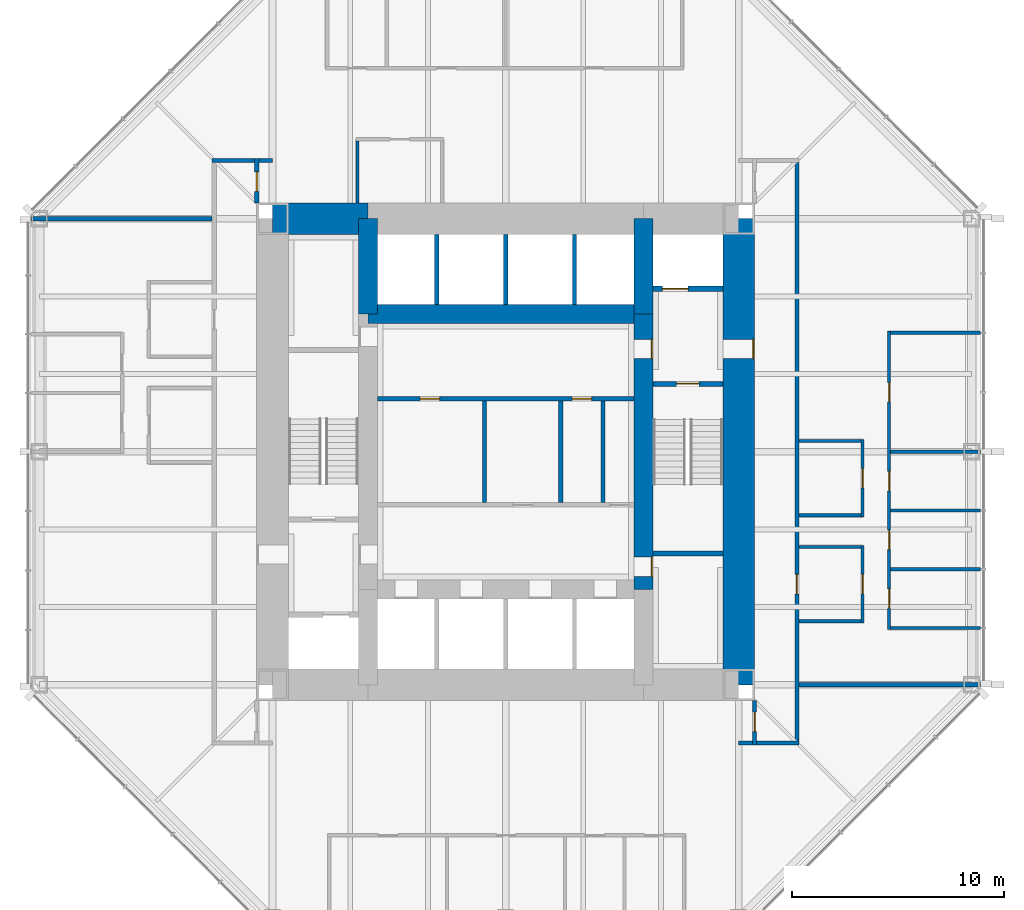
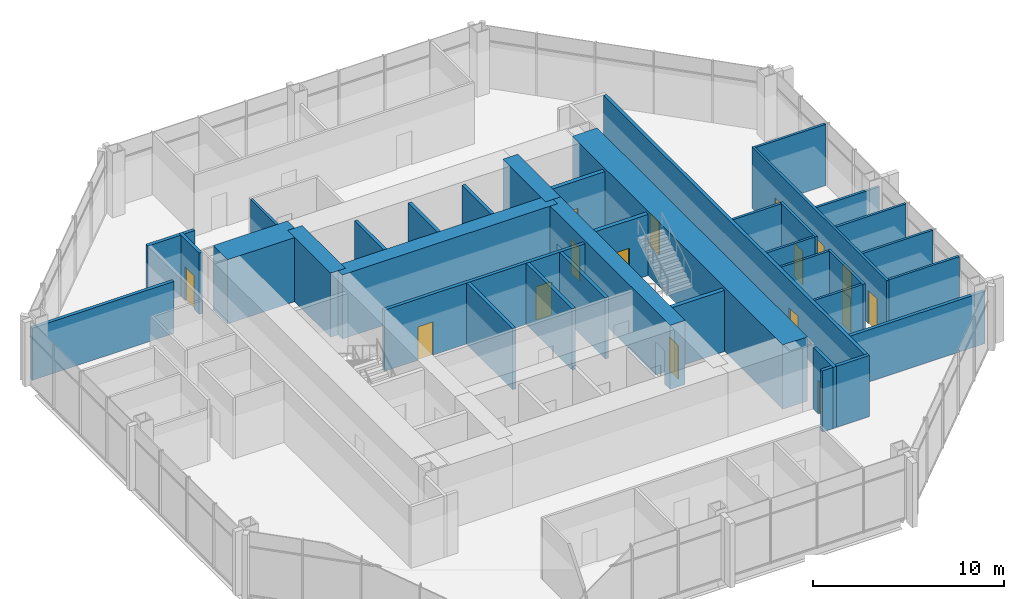
# One storey, part 10 of 12: 36 walls, 16 doors, 16 openings.
"""IFC4 building model written with IfcOpenShell, lengths in metres."""

from ifc_helpers import new_model, si_unit, direction, frame, frame_2d, origin, place, context, subcontext, project, spatial, rectangle, extrude, material, layer, layer_set, type_object, element, fill, save


model = new_model("IFC4")

# Units and contexts
model_context = context("Model", 3, precision=1e-05, world=origin(), true_north=direction((0.0, 1.0)))
body_context = subcontext(model_context, "Body", "Model", "MODEL_VIEW")
ifc_project = project(units=[si_unit("LENGTHUNIT", "METRE"), si_unit("AREAUNIT", "SQUARE_METRE"), si_unit("VOLUMEUNIT", "CUBIC_METRE"), si_unit("PLANEANGLEUNIT", "RADIAN"), si_unit("MASSUNIT", "GRAM", prefix="KILO")], contexts=[model_context])

# Site, building, storey
site_placement = place(None, origin())
site = spatial("IfcSite", under=ifc_project, at=site_placement, CompositionType="ELEMENT")
building_placement = place(site_placement, origin())
building = spatial("IfcBuilding", under=site, at=building_placement, Name="Trevanion Tower", CompositionType="ELEMENT")
storey_placement = place(building_placement, frame((0.0, 0.0, 137.699951171875)))
storey = spatial("IfcBuildingStorey", under=building, at=storey_placement, Name="L32", CompositionType="ELEMENT", Elevation=137.699951171875)

# Wall, opening, door
ifc_material_1 = material(Name="Concrete 10,000 psi", Category="concrete")
ifc_layer_1 = layer(ifc_material_1, 1.5)
ifc_layer_set_1 = layer_set([ifc_layer_1], Name="CW1 core wall 1500")
wall_type_1 = type_object("IfcWallType", Name="CW1 core wall 1500", PredefinedType="SHEAR", material=ifc_layer_set_1)
wall_1_placement = place(storey_placement, frame((11.0, -11.0, 0.0), z_axis=(0.0, 0.0, 1.0), x_axis=(0.0, 1.0, 0.0)))
wall_1 = element("IfcWall", 1, at=wall_1_placement, inside=storey, type_object=wall_type_1, Name="CW1 CE L32", PredefinedType="SHEAR", context=body_context, shape_type="SweptSolid", body=[
    extrude(rectangle(XDim=22.0, YDim=1.5, at=frame_2d((11.0, 0.0))), origin(), (0.0, 0.0, 1.0), 4.10009765625),
])
opening_1_placement = place(wall_1_placement, frame((15.392578125, 0.0, 0.0)))
opening_1 = element("IfcOpeningElement", 2, at=opening_1_placement, cuts=wall_1, Name="Opening 32-001", PredefinedType="OPENING", context=body_context, shape_type="SweptSolid", body=[
    extrude(rectangle(XDim=0.9150390625, YDim=2.134033203125, at=frame_2d((0.45751953125, 1.06689453125))), frame((0.0, 0.760009765625, 0.0), z_axis=(0.0, -1.0, 0.0), x_axis=(1.0, 0.0, 0.0)), (0.0, 0.0, 1.0), 1.52001953125),
])
ifc_material_2 = material(Name="Hollow metal, fire rated", Category="steel")
door_type_1 = type_object("IfcDoorType", Name="D3 fire lift lobby door", OperationType="SINGLE_SWING_RIGHT", PredefinedType="DOOR", material=ifc_material_2)
door_1_placement = place(opening_1_placement, origin())
door_1 = element("IfcDoor", 3, at=door_1_placement, inside=storey, type_object=door_type_1, Name="Door 32-001", OperationType="SINGLE_SWING_RIGHT", OverallHeight=2.134033203125, OverallWidth=0.9150390625, PredefinedType="DOOR", context=body_context, shape_type="SweptSolid", body=[
    extrude(rectangle(XDim=0.9150390625, YDim=2.134033203125, at=frame_2d((0.45751953125, 1.06689453125))), frame((0.0, -0.6748046875, 0.0), z_axis=(0.0, -1.0, 0.0), x_axis=(1.0, 0.0, 0.0)), (0.0, 0.0, 1.0), 0.050048828125),
])
fill(opening_1, door_1)

# Wall
wall_2_placement = place(storey_placement, frame((-6.5, 11.0, 0.0), z_axis=(0.0, 0.0, 1.0), x_axis=(-1.0, 0.0, 0.0)))
element("IfcWall", 4, at=wall_2_placement, inside=storey, type_object=wall_type_1, Name="CW1 CN3 L32", PredefinedType="SHEAR", context=body_context, shape_type="SweptSolid", body=[
    extrude(rectangle(XDim=4.5, YDim=1.5, at=frame_2d((2.25, 0.0))), origin(), (0.0, 0.0, 1.0), 4.10009765625),
])

# Wall, openings, doors
ifc_material_3 = material(Name="Concrete 10,000 psi", Category="concrete")
ifc_layer_2 = layer(ifc_material_3, 0.89990234375)
ifc_layer_set_2 = layer_set([ifc_layer_2], Name="CW2 core wall 900")
wall_type_2 = type_object("IfcWallType", Name="CW2 core wall 900", PredefinedType="SHEAR", material=ifc_layer_set_2)
wall_3_placement = place(storey_placement, frame((6.5, -6.5, 0.0), z_axis=(0.0, 0.0, 1.0), x_axis=(0.0, 1.0, 0.0)))
wall_3 = element("IfcWall", 5, at=wall_3_placement, inside=storey, type_object=wall_type_2, Name="CW2 RE2 L32", PredefinedType="SHEAR", context=body_context, shape_type="SweptSolid", body=[
    extrude(rectangle(XDim=13.0, YDim=0.89990234375, at=frame_2d((6.5, 0.0))), origin(), (0.0, 0.0, 1.0), 4.10009765625),
])
opening_2_placement = place(wall_3_placement, frame((10.892578125, 0.0, 0.0)))
opening_2 = element("IfcOpeningElement", 6, at=opening_2_placement, cuts=wall_3, Name="Opening 32-003", PredefinedType="OPENING", context=body_context, shape_type="SweptSolid", body=[
    extrude(rectangle(XDim=0.9150390625, YDim=2.134033203125, at=frame_2d((0.45751953125, 1.06689453125))), frame((0.0, 0.4599609375, 0.0), z_axis=(0.0, -1.0, 0.0), x_axis=(1.0, 0.0, 0.0)), (0.0, 0.0, 1.0), 0.919921875),
])
opening_3_placement = place(wall_3_placement, frame((0.610107421875, 0.0, 0.0)))
opening_3 = element("IfcOpeningElement", 7, at=opening_3_placement, cuts=wall_3, Name="Opening 32-009", PredefinedType="OPENING", context=body_context, shape_type="SweptSolid", body=[
    extrude(rectangle(XDim=0.9150390625, YDim=2.134033203125, at=frame_2d((0.45751953125, 1.06689453125))), frame((0.0, 0.4599609375, 0.0), z_axis=(0.0, -1.0, 0.0), x_axis=(1.0, 0.0, 0.0)), (0.0, 0.0, 1.0), 0.919921875),
])
door_2_placement = place(opening_2_placement, origin())
door_2 = element("IfcDoor", 8, at=door_2_placement, inside=storey, type_object=door_type_1, Name="Door 32-003", OperationType="SINGLE_SWING_RIGHT", OverallHeight=2.134033203125, OverallWidth=0.9150390625, PredefinedType="DOOR", context=body_context, shape_type="SweptSolid", body=[
    extrude(rectangle(XDim=0.9150390625, YDim=2.134033203125, at=frame_2d((0.45751953125, 1.06689453125))), frame((0.0, -0.375, 0.0), z_axis=(0.0, -1.0, 0.0), x_axis=(1.0, 0.0, 0.0)), (0.0, 0.0, 1.0), 0.050048828125),
])
fill(opening_2, door_2)
ifc_material_4 = material(Name="Hollow metal, fire rated", Category="steel")
door_type_2 = type_object("IfcDoorType", Name="D5 service room door", OperationType="SINGLE_SWING_RIGHT", PredefinedType="DOOR", material=ifc_material_4)
door_3_placement = place(opening_3_placement, origin())
door_3 = element("IfcDoor", 9, at=door_3_placement, inside=storey, type_object=door_type_2, Name="Door 32-009", OperationType="SINGLE_SWING_RIGHT", OverallHeight=2.134033203125, OverallWidth=0.9150390625, PredefinedType="DOOR", context=body_context, shape_type="SweptSolid", body=[
    extrude(rectangle(XDim=0.9150390625, YDim=2.134033203125, at=frame_2d((0.45751953125, 1.06689453125))), frame((0.0, -0.375, 0.0), z_axis=(0.0, -1.0, 0.0), x_axis=(1.0, 0.0, 0.0)), (0.0, 0.0, 1.0), 0.050048828125),
])
fill(opening_3, door_3)

# Walls
for number, where, z_axis, x_axis, name in (
    (10, (6.5, 6.5, 0.0), (0.0, 0.0, 1.0), (0.0, 1.0, 0.0), "CW2 RE3 L32"),
    (11, (-6.5, 11.0, 0.0), (0.0, 0.0, 1.0), (0.0, -1.0, 0.0), "CW2 RW1 L32"),
):
    element("IfcWall", number, at=place(storey_placement, frame(where, z_axis=z_axis, x_axis=x_axis)), inside=storey, type_object=wall_type_2, Name=name, PredefinedType="SHEAR", context=body_context, shape_type="SweptSolid", body=[
        extrude(rectangle(XDim=4.5, YDim=0.89990234375, at=frame_2d((2.25, 0.0))), origin(), (0.0, 0.0, 1.0), 4.10009765625),
    ])
wall_4_placement = place(storey_placement, frame((6.5, 6.5, 0.0), z_axis=(0.0, 0.0, 1.0), x_axis=(-1.0, 0.0, 0.0)))
element("IfcWall", 12, at=wall_4_placement, inside=storey, type_object=wall_type_2, Name="CW2 RN L32", PredefinedType="SHEAR", context=body_context, shape_type="SweptSolid", body=[
    extrude(rectangle(XDim=13.0, YDim=0.89990234375, at=frame_2d((6.5, 0.0))), origin(), (0.0, 0.0, 1.0), 4.10009765625),
])

# Wall, openings, doors
ifc_material_5 = material(Name="Gypsum board on steel studs", Category="steel")
ifc_layer_3 = layer(ifc_material_5, 0.14990234375)
ifc_layer_set_3 = layer_set([ifc_layer_3], Name="PT1 partition 150")
wall_type_3 = type_object("IfcWallType", Name="PT1 partition 150", PredefinedType="PARTITIONING", material=ifc_layer_set_3)
wall_5_placement = place(storey_placement, frame((18.10009765625, -8.39794921875, 0.0), z_axis=(0.0, 0.0, 1.0), x_axis=(0.0, 1.0, 0.0)))
wall_5 = element("IfcWall", 13, at=wall_5_placement, inside=storey, type_object=wall_type_3, Name="PT1 L32 FC0F", PredefinedType="PARTITIONING", context=body_context, shape_type="SweptSolid", body=[
    extrude(rectangle(XDim=14.0869140625, YDim=0.14990234375, at=frame_2d((7.04345703125, 0.0))), origin(), (0.0, 0.0, 1.0), 3.91015625),
])
opening_4_placement = place(wall_5_placement, frame((1.00439453125, 0.0, 0.0)))
opening_4 = element("IfcOpeningElement", 14, at=opening_4_placement, cuts=wall_5, Name="Opening 32-030", PredefinedType="OPENING", context=body_context, shape_type="SweptSolid", body=[
    extrude(rectangle(XDim=0.9150390625, YDim=2.134033203125, at=frame_2d((0.45751953125, 1.06689453125))), frame((0.0, 0.0849609375, 0.0), z_axis=(0.0, -1.0, 0.0), x_axis=(1.0, 0.0, 0.0)), (0.0, 0.0, 1.0), 0.169921875),
])
opening_5_placement = place(wall_5_placement, frame((3.778564453125, 0.0, 0.0)))
opening_5 = element("IfcOpeningElement", 15, at=opening_5_placement, cuts=wall_5, Name="Opening 32-031", PredefinedType="OPENING", context=body_context, shape_type="SweptSolid", body=[
    extrude(rectangle(XDim=0.9150390625, YDim=2.134033203125, at=frame_2d((0.45751953125, 1.06689453125))), frame((0.0, 0.0849609375, 0.0), z_axis=(0.0, -1.0, 0.0), x_axis=(1.0, 0.0, 0.0)), (0.0, 0.0, 1.0), 0.169921875),
])
opening_6_placement = place(wall_5_placement, frame((6.552978515625, 0.0, 0.0)))
opening_6 = element("IfcOpeningElement", 16, at=opening_6_placement, cuts=wall_5, Name="Opening 32-032", PredefinedType="OPENING", context=body_context, shape_type="SweptSolid", body=[
    extrude(rectangle(XDim=0.9150390625, YDim=2.134033203125, at=frame_2d((0.45751953125, 1.06689453125))), frame((0.0, 0.0849609375, 0.0), z_axis=(0.0, -1.0, 0.0), x_axis=(1.0, 0.0, 0.0)), (0.0, 0.0, 1.0), 0.169921875),
])
opening_7_placement = place(wall_5_placement, frame((10.74755859375, 0.0, 0.0)))
opening_7 = element("IfcOpeningElement", 17, at=opening_7_placement, cuts=wall_5, Name="Opening 32-033", PredefinedType="OPENING", context=body_context, shape_type="SweptSolid", body=[
    extrude(rectangle(XDim=0.9150390625, YDim=2.134033203125, at=frame_2d((0.45751953125, 1.06689453125))), frame((0.0, 0.0849609375, 0.0), z_axis=(0.0, -1.0, 0.0), x_axis=(1.0, 0.0, 0.0)), (0.0, 0.0, 1.0), 0.169921875),
])
ifc_material_6 = material(Name="Timber veneer, solid core", Category="wood")
door_type_3 = type_object("IfcDoorType", Name="D1 office and meeting room door", OperationType="SINGLE_SWING_LEFT", PredefinedType="DOOR", material=ifc_material_6)
door_4_placement = place(opening_4_placement, origin())
door_4 = element("IfcDoor", 18, at=door_4_placement, inside=storey, type_object=door_type_3, Name="Door 32-030", OperationType="SINGLE_SWING_LEFT", OverallHeight=2.134033203125, OverallWidth=0.9150390625, PredefinedType="DOOR", context=body_context, shape_type="SweptSolid", body=[
    extrude(rectangle(XDim=0.9150390625, YDim=2.134033203125, at=frame_2d((0.45751953125, 1.06689453125))), frame((0.0, 0.02490234375, 0.0), z_axis=(0.0, -1.0, 0.0), x_axis=(1.0, 0.0, 0.0)), (0.0, 0.0, 1.0), 0.050048828125),
])
fill(opening_4, door_4)
door_5_placement = place(opening_5_placement, origin())
door_5 = element("IfcDoor", 19, at=door_5_placement, inside=storey, type_object=door_type_3, Name="Door 32-031", OperationType="SINGLE_SWING_LEFT", OverallHeight=2.134033203125, OverallWidth=0.9150390625, PredefinedType="DOOR", context=body_context, shape_type="SweptSolid", body=[
    extrude(rectangle(XDim=0.9150390625, YDim=2.134033203125, at=frame_2d((0.45751953125, 1.06689453125))), frame((0.0, 0.02490234375, 0.0), z_axis=(0.0, -1.0, 0.0), x_axis=(1.0, 0.0, 0.0)), (0.0, 0.0, 1.0), 0.050048828125),
])
fill(opening_5, door_5)
door_6_placement = place(opening_6_placement, origin())
door_6 = element("IfcDoor", 20, at=door_6_placement, inside=storey, type_object=door_type_3, Name="Door 32-032", OperationType="SINGLE_SWING_LEFT", OverallHeight=2.134033203125, OverallWidth=0.9150390625, PredefinedType="DOOR", context=body_context, shape_type="SweptSolid", body=[
    extrude(rectangle(XDim=0.9150390625, YDim=2.134033203125, at=frame_2d((0.45751953125, 1.06689453125))), frame((0.0, 0.02490234375, 0.0), z_axis=(0.0, -1.0, 0.0), x_axis=(1.0, 0.0, 0.0)), (0.0, 0.0, 1.0), 0.050048828125),
])
fill(opening_6, door_6)
door_7_placement = place(opening_7_placement, origin())
door_7 = element("IfcDoor", 21, at=door_7_placement, inside=storey, type_object=door_type_3, Name="Door 32-033", OperationType="SINGLE_SWING_LEFT", OverallHeight=2.134033203125, OverallWidth=0.9150390625, PredefinedType="DOOR", context=body_context, shape_type="SweptSolid", body=[
    extrude(rectangle(XDim=0.9150390625, YDim=2.134033203125, at=frame_2d((0.45751953125, 1.06689453125))), frame((0.0, 0.02490234375, 0.0), z_axis=(0.0, -1.0, 0.0), x_axis=(1.0, 0.0, 0.0)), (0.0, 0.0, 1.0), 0.050048828125),
])
fill(opening_7, door_7)

# Walls
for number, where, z_axis, x_axis, name in (
    (22, (18.175048828125, -8.322998046875, 0.0), (0.0, 0.0, 1.0), (1.0, 0.0, 0.0), "PT1 L32 FC0S0"),
    (23, (18.175048828125, -5.549072265625, 0.0), (0.0, 0.0, 1.0), (1.0, 0.0, 0.0), "PT1 L32 FC0S1"),
    (24, (18.175048828125, -2.77490234375, 0.0), (0.0, 0.0, 1.0), (1.0, 0.0, 0.0), "PT1 L32 FC0S2"),
):
    element("IfcWall", number, at=place(storey_placement, frame(where, z_axis=z_axis, x_axis=x_axis)), inside=storey, type_object=wall_type_3, Name=name, PredefinedType="PARTITIONING", context=body_context, shape_type="SweptSolid", body=[
        extrude(rectangle(XDim=4.239990234375, YDim=0.14990234375, at=frame_2d((2.1201171875, 0.0))), origin(), (0.0, 0.0, 1.0), 3.91015625),
    ])
wall_6_placement = place(storey_placement, frame((18.175048828125, 0.0, 0.0), z_axis=(0.0, 0.0, 1.0), x_axis=(1.0, 0.0, 0.0)))
element("IfcWall", 25, at=wall_6_placement, inside=storey, type_object=wall_type_3, Name="PT1 L32 FC0S3", PredefinedType="PARTITIONING", context=body_context, shape_type="SweptSolid", body=[
    extrude(rectangle(XDim=4.239990234375, YDim=0.14990234375, at=frame_2d((2.1201171875, 0.0))), origin(), (0.0, 0.0, 1.0), 3.325927734375),
])
wall_7_placement = place(storey_placement, frame((18.175048828125, 5.614013671875, 0.0), z_axis=(0.0, 0.0, 1.0), x_axis=(1.0, 0.0, 0.0)))
element("IfcWall", 26, at=wall_7_placement, inside=storey, type_object=wall_type_3, Name="PT1 L32 FC0S5", PredefinedType="PARTITIONING", context=body_context, shape_type="SweptSolid", body=[
    extrude(rectangle(XDim=4.239990234375, YDim=0.14990234375, at=frame_2d((2.1201171875, 0.0))), origin(), (0.0, 0.0, 1.0), 3.91015625),
])

# Wall, opening, door
wall_8_placement = place(storey_placement, frame((16.85009765625, -8.074951171875, 0.0), z_axis=(0.0, 0.0, 1.0), x_axis=(0.0, 1.0, 0.0)))
wall_8 = element("IfcWall", 27, at=wall_8_placement, inside=storey, type_object=wall_type_3, Name="PT1 L32 IN00F", PredefinedType="PARTITIONING", context=body_context, shape_type="SweptSolid", body=[
    extrude(rectangle(XDim=3.64990234375, YDim=0.14990234375, at=frame_2d((1.824951171875, 0.0))), origin(), (0.0, 0.0, 1.0), 3.91015625),
])
opening_8_placement = place(wall_8_placement, frame((1.367431640625, 0.0, 0.0)))
opening_8 = element("IfcOpeningElement", 28, at=opening_8_placement, cuts=wall_8, Name="Opening 32-036", PredefinedType="OPENING", context=body_context, shape_type="SweptSolid", body=[
    extrude(rectangle(XDim=0.9150390625, YDim=2.134033203125, at=frame_2d((0.45751953125, 1.06689453125))), frame((0.0, 0.0849609375, 0.0), z_axis=(0.0, -1.0, 0.0), x_axis=(1.0, 0.0, 0.0)), (0.0, 0.0, 1.0), 0.169921875),
])
door_8_placement = place(opening_8_placement, origin())
door_8 = element("IfcDoor", 29, at=door_8_placement, inside=storey, type_object=door_type_3, Name="Door 32-036", OperationType="SINGLE_SWING_LEFT", OverallHeight=2.134033203125, OverallWidth=0.9150390625, PredefinedType="DOOR", context=body_context, shape_type="SweptSolid", body=[
    extrude(rectangle(XDim=0.9150390625, YDim=2.134033203125, at=frame_2d((0.45751953125, 1.06689453125))), frame((0.0, 0.02490234375, 0.0), z_axis=(0.0, -1.0, 0.0), x_axis=(1.0, 0.0, 0.0)), (0.0, 0.0, 1.0), 0.050048828125),
])
fill(opening_8, door_8)

# Walls
for number, where, z_axis, x_axis, name in (
    (30, (16.77490234375, -8.0, 0.0), (0.0, 0.0, 1.0), (-1.0, 0.0, 0.0), "PT1 L32 IN00S0"),
    (31, (16.77490234375, -4.5, 0.0), (0.0, 0.0, 1.0), (-1.0, 0.0, 0.0), "PT1 L32 IN00S1"),
):
    element("IfcWall", number, at=place(storey_placement, frame(where, z_axis=z_axis, x_axis=x_axis)), inside=storey, type_object=wall_type_3, Name=name, PredefinedType="PARTITIONING", context=body_context, shape_type="SweptSolid", body=[
        extrude(rectangle(XDim=2.9248046875, YDim=0.14990234375, at=frame_2d((1.46240234375, 0.0))), origin(), (0.0, 0.0, 1.0), 3.91015625),
    ])

# Wall, opening, door
wall_9_placement = place(storey_placement, frame((16.85009765625, -3.074951171875, 0.0), z_axis=(0.0, 0.0, 1.0), x_axis=(0.0, 1.0, 0.0)))
wall_9 = element("IfcWall", 32, at=wall_9_placement, inside=storey, type_object=wall_type_3, Name="PT1 L32 IN01F", PredefinedType="PARTITIONING", context=body_context, shape_type="SweptSolid", body=[
    extrude(rectangle(XDim=3.64990234375, YDim=0.14990234375, at=frame_2d((1.824951171875, 0.0))), origin(), (0.0, 0.0, 1.0), 3.91015625),
])
opening_9_placement = place(wall_9_placement, frame((1.367431640625, 0.0, 0.0)))
opening_9 = element("IfcOpeningElement", 33, at=opening_9_placement, cuts=wall_9, Name="Opening 32-038", PredefinedType="OPENING", context=body_context, shape_type="SweptSolid", body=[
    extrude(rectangle(XDim=0.9150390625, YDim=2.134033203125, at=frame_2d((0.45751953125, 1.06689453125))), frame((0.0, 0.0849609375, 0.0), z_axis=(0.0, -1.0, 0.0), x_axis=(1.0, 0.0, 0.0)), (0.0, 0.0, 1.0), 0.169921875),
])
door_9_placement = place(opening_9_placement, origin())
door_9 = element("IfcDoor", 34, at=door_9_placement, inside=storey, type_object=door_type_3, Name="Door 32-038", OperationType="SINGLE_SWING_LEFT", OverallHeight=2.134033203125, OverallWidth=0.9150390625, PredefinedType="DOOR", context=body_context, shape_type="SweptSolid", body=[
    extrude(rectangle(XDim=0.9150390625, YDim=2.134033203125, at=frame_2d((0.45751953125, 1.06689453125))), frame((0.0, 0.02490234375, 0.0), z_axis=(0.0, -1.0, 0.0), x_axis=(1.0, 0.0, 0.0)), (0.0, 0.0, 1.0), 0.050048828125),
])
fill(opening_9, door_9)

# Walls
for number, where, z_axis, x_axis, name in (
    (35, (16.77490234375, -3.0, 0.0), (0.0, 0.0, 1.0), (-1.0, 0.0, 0.0), "PT1 L32 IN01S0"),
    (36, (16.77490234375, 0.5, 0.0), (0.0, 0.0, 1.0), (-1.0, 0.0, 0.0), "PT1 L32 IN01S1"),
):
    element("IfcWall", number, at=place(storey_placement, frame(where, z_axis=z_axis, x_axis=x_axis)), inside=storey, type_object=wall_type_3, Name=name, PredefinedType="PARTITIONING", context=body_context, shape_type="SweptSolid", body=[
        extrude(rectangle(XDim=2.9248046875, YDim=0.14990234375, at=frame_2d((1.46240234375, 0.0))), origin(), (0.0, 0.0, 1.0), 3.91015625),
    ])
wall_10_placement = place(storey_placement, frame((-7.0, 14.675048828125, 0.0), z_axis=(0.0, 0.0, 1.0), x_axis=(0.0, -1.0, 0.0)))
element("IfcWall", 37, at=wall_10_placement, inside=storey, type_object=wall_type_3, Name="PT1 L32 IN10S1", PredefinedType="PARTITIONING", context=body_context, shape_type="SweptSolid", body=[
    extrude(rectangle(XDim=2.925048828125, YDim=0.14990234375, at=frame_2d((1.46240234375, 0.0))), origin(), (0.0, 0.0, 1.0), 3.91015625),
])
ifc_material_7 = material(Name="Concrete masonry, grouted", Category="masonry")
ifc_layer_4 = layer(ifc_material_7, 0.199951171875)
ifc_layer_set_4 = layer_set([ifc_layer_4], Name="PT2 partition 200")
wall_type_4 = type_object("IfcWallType", Name="PT2 partition 200", PredefinedType="PARTITIONING", material=ifc_layer_set_4)
for number, where, z_axis, x_axis, name in (
    (38, (-1.0, -2.39990234375, 0.0), (0.0, 0.0, 1.0), (0.0, 1.0, 0.0), "PT2 L32 TP1"),
    (39, (2.60009765625, -2.39990234375, 0.0), (0.0, 0.0, 1.0), (0.0, 1.0, 0.0), "PT2 L32 TP2"),
    (40, (4.60009765625, -2.39990234375, 0.0), (0.0, 0.0, 1.0), (0.0, 1.0, 0.0), "PT2 L32 TP3"),
):
    element("IfcWall", number, at=place(storey_placement, frame(where, z_axis=z_axis, x_axis=x_axis)), inside=storey, type_object=wall_type_4, Name=name, PredefinedType="PARTITIONING", context=body_context, shape_type="SweptSolid", body=[
        extrude(rectangle(XDim=4.7998046875, YDim=0.199951171875, at=frame_2d((2.39990234375, 0.0))), origin(), (0.0, 0.0, 1.0), 3.91015625),
    ])

# Wall, openings, doors
ifc_material_8 = material(Name="Concrete masonry, grouted", Category="masonry")
ifc_layer_5 = layer(ifc_material_8, 0.199951171875)
ifc_layer_set_5 = layer_set([ifc_layer_5], Name="PT2 partition 200 1 HR")
wall_type_5 = type_object("IfcWallType", Name="PT2 partition 200 1 HR", PredefinedType="PARTITIONING", material=ifc_layer_set_5)
wall_11_placement = place(storey_placement, frame((-6.050048828125, 2.5, 0.0), z_axis=(0.0, 0.0, 1.0), x_axis=(1.0, 0.0, 0.0)))
wall_11 = element("IfcWall", 41, at=wall_11_placement, inside=storey, type_object=wall_type_5, Name="PT2 L32 CP1", PredefinedType="PARTITIONING", context=body_context, shape_type="SweptSolid", body=[
    extrude(rectangle(XDim=12.10009765625, YDim=0.199951171875, at=frame_2d((6.050048828125, 0.0))), origin(), (0.0, 0.0, 1.0), 3.91015625),
])
opening_10_placement = place(wall_11_placement, frame((2.017578125, 0.0, 0.0)))
opening_10 = element("IfcOpeningElement", 42, at=opening_10_placement, cuts=wall_11, Name="Opening 32-015", PredefinedType="OPENING", context=body_context, shape_type="SweptSolid", body=[
    extrude(rectangle(XDim=0.9150390625, YDim=2.134033203125, at=frame_2d((0.45751953125, 1.06689453125))), frame((0.0, 0.10986328125, 0.0), z_axis=(0.0, -1.0, 0.0), x_axis=(1.0, 0.0, 0.0)), (0.0, 0.0, 1.0), 0.219970703125),
])
opening_11_placement = place(wall_11_placement, frame((9.1923828125, 0.0, 0.0)))
opening_11 = element("IfcOpeningElement", 43, at=opening_11_placement, cuts=wall_11, Name="Opening 32-017", PredefinedType="OPENING", context=body_context, shape_type="SweptSolid", body=[
    extrude(rectangle(XDim=0.9150390625, YDim=2.134033203125, at=frame_2d((0.45751953125, 1.06689453125))), frame((0.0, 0.10986328125, 0.0), z_axis=(0.0, -1.0, 0.0), x_axis=(1.0, 0.0, 0.0)), (0.0, 0.0, 1.0), 0.219970703125),
])
ifc_material_9 = material(Name="Plastic laminate on fire-rated core", Category="wood")
door_type_4 = type_object("IfcDoorType", Name="D12 toilet door in a one hour wall", OperationType="SINGLE_SWING_LEFT", PredefinedType="DOOR", material=ifc_material_9)
door_10_placement = place(opening_10_placement, origin())
door_10 = element("IfcDoor", 44, at=door_10_placement, inside=storey, type_object=door_type_4, Name="Door 32-015", OperationType="SINGLE_SWING_LEFT", OverallHeight=2.134033203125, OverallWidth=0.9150390625, PredefinedType="DOOR", context=body_context, shape_type="SweptSolid", body=[
    extrude(rectangle(XDim=0.9150390625, YDim=2.134033203125, at=frame_2d((0.45751953125, 1.06689453125))), frame((0.0, 0.02490234375, 0.0), z_axis=(0.0, -1.0, 0.0), x_axis=(1.0, 0.0, 0.0)), (0.0, 0.0, 1.0), 0.050048828125),
])
fill(opening_10, door_10)
door_11_placement = place(opening_11_placement, origin())
door_11 = element("IfcDoor", 45, at=door_11_placement, inside=storey, type_object=door_type_4, Name="Door 32-017", OperationType="SINGLE_SWING_LEFT", OverallHeight=2.134033203125, OverallWidth=0.9150390625, PredefinedType="DOOR", context=body_context, shape_type="SweptSolid", body=[
    extrude(rectangle(XDim=0.9150390625, YDim=2.134033203125, at=frame_2d((0.45751953125, 1.06689453125))), frame((0.0, 0.02490234375, 0.0), z_axis=(0.0, -1.0, 0.0), x_axis=(1.0, 0.0, 0.0)), (0.0, 0.0, 1.0), 0.050048828125),
])
fill(opening_11, door_11)

# Wall, opening, door
wall_12_placement = place(storey_placement, frame((13.75, -13.85009765625, 0.0), z_axis=(0.0, 0.0, 1.0), x_axis=(0.0, 1.0, 0.0)))
wall_12 = element("IfcWall", 46, at=wall_12_placement, inside=storey, type_object=wall_type_5, Name="PT2 L32 OC0", PredefinedType="PARTITIONING", context=body_context, shape_type="SweptSolid", body=[
    extrude(rectangle(XDim=27.5, YDim=0.199951171875, at=frame_2d((13.75, 0.0))), origin(), (0.0, 0.0, 1.0), 3.91015625),
])
opening_12_placement = place(wall_12_placement, frame((7.142578125, 0.0, 0.0)))
opening_12 = element("IfcOpeningElement", 47, at=opening_12_placement, cuts=wall_12, Name="Opening 32-037", PredefinedType="OPENING", context=body_context, shape_type="SweptSolid", body=[
    extrude(rectangle(XDim=0.9150390625, YDim=2.134033203125, at=frame_2d((0.45751953125, 1.06689453125))), frame((0.0, 0.10986328125, 0.0), z_axis=(0.0, -1.0, 0.0), x_axis=(1.0, 0.0, 0.0)), (0.0, 0.0, 1.0), 0.219970703125),
])
ifc_material_10 = material(Name="Timber veneer, fire rated", Category="wood")
door_type_5 = type_object("IfcDoorType", Name="D10 office door in a one hour wall", OperationType="SINGLE_SWING_LEFT", PredefinedType="DOOR", material=ifc_material_10)
door_12_placement = place(opening_12_placement, origin())
door_12 = element("IfcDoor", 48, at=door_12_placement, inside=storey, type_object=door_type_5, Name="Door 32-037", OperationType="SINGLE_SWING_LEFT", OverallHeight=2.134033203125, OverallWidth=0.9150390625, PredefinedType="DOOR", context=body_context, shape_type="SweptSolid", body=[
    extrude(rectangle(XDim=0.9150390625, YDim=2.134033203125, at=frame_2d((0.45751953125, 1.06689453125))), frame((0.0, 0.02490234375, 0.0), z_axis=(0.0, -1.0, 0.0), x_axis=(1.0, 0.0, 0.0)), (0.0, 0.0, 1.0), 0.050048828125),
])
fill(opening_12, door_12)

wall_13_placement = place(storey_placement, frame((-11.75, 11.75, 0.0), z_axis=(0.0, 0.0, 1.0), x_axis=(0.0, 1.0, 0.0)))
wall_13 = element("IfcWall", 49, at=wall_13_placement, inside=storey, type_object=wall_type_5, Name="PT2 L32 OUNW1", PredefinedType="PARTITIONING", context=body_context, shape_type="SweptSolid", body=[
    extrude(rectangle(XDim=2.10009765625, YDim=0.199951171875, at=frame_2d((1.050048828125, 0.0))), origin(), (0.0, 0.0, 1.0), 3.91015625),
])
opening_13_placement = place(wall_13_placement, frame((0.54248046875, 0.0, 0.0)))
opening_13 = element("IfcOpeningElement", 50, at=opening_13_placement, cuts=wall_13, Name="Opening 32-020", PredefinedType="OPENING", context=body_context, shape_type="SweptSolid", body=[
    extrude(rectangle(XDim=0.9150390625, YDim=2.134033203125, at=frame_2d((0.45751953125, 1.06689453125))), frame((0.0, 0.10986328125, 0.0), z_axis=(0.0, -1.0, 0.0), x_axis=(1.0, 0.0, 0.0)), (0.0, 0.0, 1.0), 0.219970703125),
])
door_13_placement = place(opening_13_placement, origin())
door_13 = element("IfcDoor", 51, at=door_13_placement, inside=storey, type_object=door_type_5, Name="Door 32-020", OperationType="SINGLE_SWING_LEFT", OverallHeight=2.134033203125, OverallWidth=0.9150390625, PredefinedType="DOOR", context=body_context, shape_type="SweptSolid", body=[
    extrude(rectangle(XDim=0.9150390625, YDim=2.134033203125, at=frame_2d((0.45751953125, 1.06689453125))), frame((0.0, 0.02490234375, 0.0), z_axis=(0.0, -1.0, 0.0), x_axis=(1.0, 0.0, 0.0)), (0.0, 0.0, 1.0), 0.050048828125),
])
fill(opening_13, door_13)

# Wall
wall_14_placement = place(storey_placement, frame((-11.0, 13.75, 0.0), z_axis=(0.0, 0.0, 1.0), x_axis=(-1.0, 0.0, 0.0)))
element("IfcWall", 52, at=wall_14_placement, inside=storey, type_object=wall_type_5, Name="PT2 L32 OUNW2", PredefinedType="PARTITIONING", context=body_context, shape_type="SweptSolid", body=[
    extrude(rectangle(XDim=2.85009765625, YDim=0.199951171875, at=frame_2d((1.425048828125, 0.0))), origin(), (0.0, 0.0, 1.0), 3.91015625),
])

# Wall, opening, door
wall_15_placement = place(storey_placement, frame((11.75, -11.75, 0.0), z_axis=(0.0, 0.0, 1.0), x_axis=(0.0, -1.0, 0.0)))
wall_15 = element("IfcWall", 53, at=wall_15_placement, inside=storey, type_object=wall_type_5, Name="PT2 L32 OUSE1", PredefinedType="PARTITIONING", context=body_context, shape_type="SweptSolid", body=[
    extrude(rectangle(XDim=2.10009765625, YDim=0.199951171875, at=frame_2d((1.050048828125, 0.0))), origin(), (0.0, 0.0, 1.0), 3.91015625),
])
opening_14_placement = place(wall_15_placement, frame((0.54248046875, 0.0, 0.0)))
opening_14 = element("IfcOpeningElement", 54, at=opening_14_placement, cuts=wall_15, Name="Opening 32-021", PredefinedType="OPENING", context=body_context, shape_type="SweptSolid", body=[
    extrude(rectangle(XDim=0.9150390625, YDim=2.134033203125, at=frame_2d((0.45751953125, 1.06689453125))), frame((0.0, 0.10986328125, 0.0), z_axis=(0.0, -1.0, 0.0), x_axis=(1.0, 0.0, 0.0)), (0.0, 0.0, 1.0), 0.219970703125),
])
door_14_placement = place(opening_14_placement, origin())
door_14 = element("IfcDoor", 55, at=door_14_placement, inside=storey, type_object=door_type_5, Name="Door 32-021", OperationType="SINGLE_SWING_LEFT", OverallHeight=2.134033203125, OverallWidth=0.9150390625, PredefinedType="DOOR", context=body_context, shape_type="SweptSolid", body=[
    extrude(rectangle(XDim=0.9150390625, YDim=2.134033203125, at=frame_2d((0.45751953125, 1.06689453125))), frame((0.0, 0.02490234375, 0.0), z_axis=(0.0, -1.0, 0.0), x_axis=(1.0, 0.0, 0.0)), (0.0, 0.0, 1.0), 0.050048828125),
])
fill(opening_14, door_14)

# Walls
wall_16_placement = place(storey_placement, frame((11.0, -13.75, 0.0), z_axis=(0.0, 0.0, 1.0), x_axis=(1.0, 0.0, 0.0)))
element("IfcWall", 56, at=wall_16_placement, inside=storey, type_object=wall_type_5, Name="PT2 L32 OUSE2", PredefinedType="PARTITIONING", context=body_context, shape_type="SweptSolid", body=[
    extrude(rectangle(XDim=2.85009765625, YDim=0.199951171875, at=frame_2d((1.425048828125, 0.0))), origin(), (0.0, 0.0, 1.0), 3.91015625),
])
for number, where, z_axis, x_axis, name in (
    (57, (-13.85009765625, 11.0, 0.0), (0.0, 0.0, 1.0), (-1.0, 0.0, 0.0), "PT2 L32 DM1"),
    (58, (13.85009765625, -11.0, 0.0), (0.0, 0.0, 1.0), (1.0, 0.0, 0.0), "PT2 L32 DM3"),
):
    element("IfcWall", number, at=place(storey_placement, frame(where, z_axis=z_axis, x_axis=x_axis)), inside=storey, type_object=wall_type_5, Name=name, PredefinedType="PARTITIONING", context=body_context, shape_type="SweptSolid", body=[
        extrude(rectangle(XDim=8.56494140625, YDim=0.199951171875, at=frame_2d((4.282470703125, 0.0))), origin(), (0.0, 0.0, 1.0), 3.325927734375),
    ])
ifc_material_11 = material(Name="Concrete masonry, grouted", Category="masonry")
ifc_layer_6 = layer(ifc_material_11, 0.199951171875)
ifc_layer_set_6 = layer_set([ifc_layer_6], Name="PT2 partition 200 2 HR")
wall_type_6 = type_object("IfcWallType", Name="PT2 partition 200 2 HR", PredefinedType="PARTITIONING", material=ifc_layer_set_6)
for number, where, z_axis, x_axis, name in (
    (59, (-3.25, 6.949951171875, 0.0), (0.0, 0.0, 1.0), (0.0, 1.0, 0.0), "PT2 L32 NS0"),
    (60, (0.0, 6.949951171875, 0.0), (0.0, 0.0, 1.0), (0.0, 1.0, 0.0), "PT2 L32 NS1"),
    (61, (3.25, 6.949951171875, 0.0), (0.0, 0.0, 1.0), (0.0, 1.0, 0.0), "PT2 L32 NS2"),
):
    element("IfcWall", number, at=place(storey_placement, frame(where, z_axis=z_axis, x_axis=x_axis)), inside=storey, type_object=wall_type_6, Name=name, PredefinedType="PARTITIONING", context=body_context, shape_type="SweptSolid", body=[
        extrude(rectangle(XDim=3.300048828125, YDim=0.199951171875, at=frame_2d((1.64990234375, 0.0))), origin(), (0.0, 0.0, 1.0), 3.91015625),
    ])

# Wall, opening, door
ifc_material_12 = material(Name="Concrete masonry, grouted, two-hour", Category="masonry")
ifc_layer_7 = layer(ifc_material_12, 0.25)
ifc_layer_set_7 = layer_set([ifc_layer_7], Name="PT3 partition 250 2 HR")
wall_type_7 = type_object("IfcWallType", Name="PT3 partition 250 2 HR", PredefinedType="PARTITIONING", material=ifc_layer_set_7)
wall_17_placement = place(storey_placement, frame((6.949951171875, 7.699951171875, 0.0), z_axis=(0.0, 0.0, 1.0), x_axis=(1.0, 0.0, 0.0)))
wall_17 = element("IfcWall", 62, at=wall_17_placement, inside=storey, type_object=wall_type_7, Name="PT3 L32 EP3", PredefinedType="PARTITIONING", context=body_context, shape_type="SweptSolid", body=[
    extrude(rectangle(XDim=3.300048828125, YDim=0.25, at=frame_2d((1.64990234375, 0.0))), origin(), (0.0, 0.0, 1.0), 3.91015625),
])
opening_15_placement = place(wall_17_placement, frame((0.449951171875, 0.0, 0.0)))
opening_15 = element("IfcOpeningElement", 63, at=opening_15_placement, cuts=wall_17, Name="Opening 32-007", PredefinedType="OPENING", context=body_context, shape_type="SweptSolid", body=[
    extrude(rectangle(XDim=1.218994140625, YDim=2.134033203125, at=frame_2d((0.609375, 1.06689453125))), frame((0.0, 0.135009765625, 0.0), z_axis=(0.0, -1.0, 0.0), x_axis=(1.0, 0.0, 0.0)), (0.0, 0.0, 1.0), 0.27001953125),
])
ifc_material_13 = material(Name="Stainless steel, fire rated", Category="steel")
door_type_6 = type_object("IfcDoorType", Name="LD2 fire service lift landing door", OperationType="SLIDING_TO_LEFT", PredefinedType="DOOR", material=ifc_material_13)
door_15_placement = place(opening_15_placement, origin())
door_15 = element("IfcDoor", 64, at=door_15_placement, inside=storey, type_object=door_type_6, Name="Door 32-007", OperationType="SLIDING_TO_LEFT", OverallHeight=2.134033203125, OverallWidth=1.218994140625, PredefinedType="DOOR", context=body_context, shape_type="SweptSolid", body=[
    extrude(rectangle(XDim=1.218994140625, YDim=2.134033203125, at=frame_2d((0.609375, 1.06689453125))), frame((0.0, 0.02490234375, 0.0), z_axis=(0.0, -1.0, 0.0), x_axis=(1.0, 0.0, 0.0)), (0.0, 0.0, 1.0), 0.050048828125),
])
fill(opening_15, door_15)

# Wall
ifc_material_14 = material(Name="Reinforced masonry, fully grouted", Category="masonry")
ifc_layer_8 = layer(ifc_material_14, 0.25)
ifc_layer_set_8 = layer_set([ifc_layer_8], Name="SW1 stair shaft wall 250")
wall_type_8 = type_object("IfcWallType", Name="SW1 stair shaft wall 250", PredefinedType="SOLIDWALL", material=ifc_layer_set_8)
wall_18_placement = place(storey_placement, frame((6.949951171875, -4.800048828125, 0.0), z_axis=(0.0, 0.0, 1.0), x_axis=(1.0, 0.0, 0.0)))
element("IfcWall", 65, at=wall_18_placement, inside=storey, type_object=wall_type_8, Name="SW1 L32 EP1", PredefinedType="SOLIDWALL", context=body_context, shape_type="SweptSolid", body=[
    extrude(rectangle(XDim=3.300048828125, YDim=0.25, at=frame_2d((1.64990234375, 0.0))), origin(), (0.0, 0.0, 1.0), 3.91015625),
])

# Wall, opening, door
wall_19_placement = place(storey_placement, frame((6.949951171875, 3.199951171875, 0.0), z_axis=(0.0, 0.0, 1.0), x_axis=(1.0, 0.0, 0.0)))
wall_19 = element("IfcWall", 66, at=wall_19_placement, inside=storey, type_object=wall_type_8, Name="SW1 L32 EP2", PredefinedType="SOLIDWALL", context=body_context, shape_type="SweptSolid", body=[
    extrude(rectangle(XDim=3.300048828125, YDim=0.25, at=frame_2d((1.64990234375, 0.0))), origin(), (0.0, 0.0, 1.0), 3.91015625),
])
opening_16_placement = place(wall_19_placement, frame((1.116455078125, 0.0, 0.0)))
opening_16 = element("IfcOpeningElement", 67, at=opening_16_placement, cuts=wall_19, Name="Opening 32-005", PredefinedType="OPENING", context=body_context, shape_type="SweptSolid", body=[
    extrude(rectangle(XDim=1.06689453125, YDim=2.134033203125, at=frame_2d((0.533447265625, 1.06689453125))), frame((0.0, 0.135009765625, 0.0), z_axis=(0.0, -1.0, 0.0), x_axis=(1.0, 0.0, 0.0)), (0.0, 0.0, 1.0), 0.27001953125),
])
ifc_material_15 = material(Name="Hollow metal, fire rated", Category="steel")
door_type_7 = type_object("IfcDoorType", Name="D2 exit stair door", OperationType="SINGLE_SWING_LEFT", PredefinedType="DOOR", material=ifc_material_15)
door_16_placement = place(opening_16_placement, origin())
door_16 = element("IfcDoor", 68, at=door_16_placement, inside=storey, type_object=door_type_7, Name="Door 32-005", OperationType="SINGLE_SWING_LEFT", OverallHeight=2.134033203125, OverallWidth=1.06689453125, PredefinedType="DOOR", context=body_context, shape_type="SweptSolid", body=[
    extrude(rectangle(XDim=1.06689453125, YDim=2.134033203125, at=frame_2d((0.533447265625, 1.06689453125))), frame((0.0, 0.02490234375, 0.0), z_axis=(0.0, -1.0, 0.0), x_axis=(1.0, 0.0, 0.0)), (0.0, 0.0, 1.0), 0.050048828125),
])
fill(opening_16, door_16)

save(model, "model.ifc")
